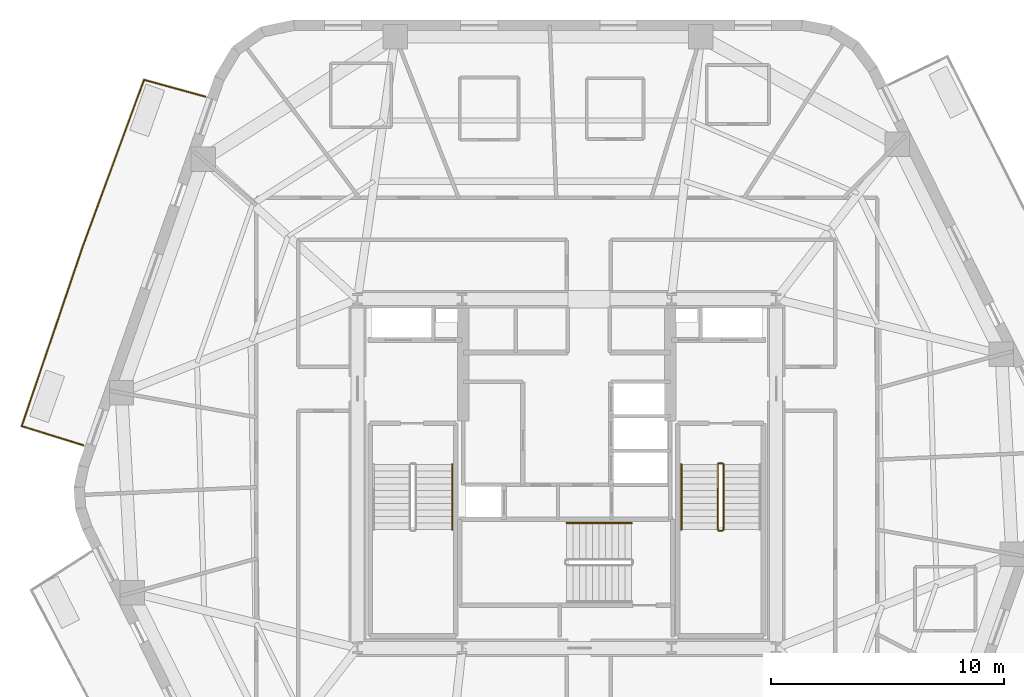
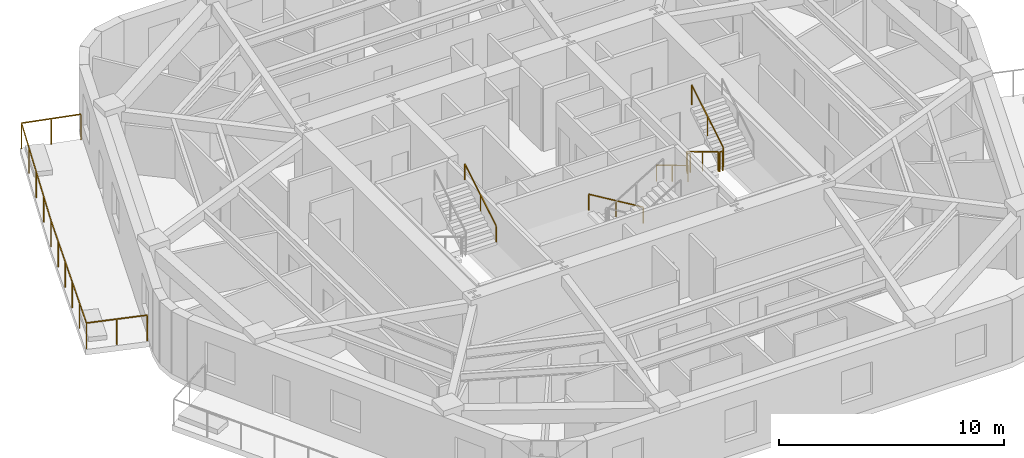
# One storey, part 9 of 10: 8 railings.
"""IFC4 building model written with IfcOpenShell, lengths in metres."""

from ifc_helpers import new_model, si_unit, direction, frame, origin, origin_2d, place, context, subcontext, project, spatial, rectangle, extrude, material, layer, layer_set, type_object, element, save


model = new_model("IFC4")

# Units and contexts
model_context = context("Model", 3, precision=1e-05, world=origin(), true_north=direction((0.0, 1.0)))
body_context = subcontext(model_context, "Body", "Model", "MODEL_VIEW")
ifc_project = project(units=[si_unit("LENGTHUNIT", "METRE"), si_unit("AREAUNIT", "SQUARE_METRE"), si_unit("VOLUMEUNIT", "CUBIC_METRE"), si_unit("PLANEANGLEUNIT", "RADIAN"), si_unit("MASSUNIT", "GRAM", prefix="KILO")], contexts=[model_context])

# Site, building, storey
site_placement = place(None, origin())
site = spatial("IfcSite", under=ifc_project, at=site_placement, CompositionType="ELEMENT")
building_placement = place(site_placement, origin())
building = spatial("IfcBuilding", under=site, at=building_placement, Name="Kilnhurst Terrace Hotel", CompositionType="ELEMENT")
storey_placement = place(building_placement, frame((0.0, 0.0, 183.0)))
storey = spatial("IfcBuildingStorey", under=building, at=storey_placement, Name="L45", CompositionType="ELEMENT", Elevation=183.0)

# Railings
ifc_material_1 = material(Name="Laminated SentryGlas and Stainless Steel AISI 316L Balustrade", Category="steel")
ifc_layer_1 = layer(ifc_material_1, 0.070068359375, Name="Laminated SentryGlas and Stainless Steel AISI 316L Balustrade")
ifc_layer_set_1 = layer_set([ifc_layer_1], Name="Laminated SentryGlas and Stainless Steel AISI 316L Balustrade")
railing_type_1 = type_object("IfcRailingType", Name="RLG-BAL-1420", PredefinedType="BALUSTRADE", material=ifc_layer_set_1)
railing_1_placement = place(storey_placement, frame((-20.783935546875, 1.215087890625, 0.0)))
element("IfcRailing", 1, at=railing_1_placement, inside=storey, type_object=railing_type_1, Name="L45 Exterior Terrace Guardrail BAL-L2A.1", PredefinedType="BALUSTRADE", context=body_context, shape_type="SweptSolid", body=[
    extrude(rectangle(XDim=0.048095703125, YDim=0.048095703125, at=origin_2d()), frame((0.0, 0.0, 1.39599609375), z_axis=(-0.954948187333, 0.29677257203, 0.0), x_axis=(-0.29677257203, -0.954948187333, 0.0)), (0.0, 0.0, 1.0), 2.7763671875),
    extrude(rectangle(XDim=0.048095703125, YDim=0.048095703125, at=origin_2d()), frame((-2.6513671875, 0.823974609375, 1.39599609375), z_axis=(0.321641701575, 0.946861455445, 0.0), x_axis=(-0.946861455445, 0.321641701575, 0.0)), (0.0, 0.0, 1.0), 8.082275390625),
    extrude(rectangle(XDim=0.048095703125, YDim=0.048095703125, at=origin_2d()), frame((-0.0517578125, 8.476806640625, 1.39599609375), z_axis=(0.344704120874, 0.938711387516, 0.0), x_axis=(-0.938711387516, 0.344704120874, 0.0)), (0.0, 0.0, 1.0), 7.7080078125),
    extrude(rectangle(XDim=0.048095703125, YDim=0.048095703125, at=origin_2d()), frame((2.605224609375, 15.71240234375, 1.39599609375), z_axis=(0.964239560757, -0.265032204593, 0.0), x_axis=(0.265032204593, 0.964239560757, 0.0)), (0.0, 0.0, 1.0), 2.739501953125),
    extrude(rectangle(XDim=0.0419921875, YDim=0.0419921875, at=origin_2d()), origin(), (0.0, 0.0, 1.0), 1.371826171875),
    extrude(rectangle(XDim=0.0419921875, YDim=0.0419921875, at=origin_2d()), frame((-1.32568359375, 0.412109375, 0.0)), (0.0, 0.0, 1.0), 1.371826171875),
    extrude(rectangle(XDim=0.0419921875, YDim=0.0419921875, at=origin_2d()), frame((-2.6513671875, 0.823974609375, 0.0)), (0.0, 0.0, 1.0), 1.371826171875),
    extrude(rectangle(XDim=0.0419921875, YDim=0.0419921875, at=origin_2d()), frame((-2.13134765625, 2.3544921875, 0.0)), (0.0, 0.0, 1.0), 1.371826171875),
    extrude(rectangle(XDim=0.0419921875, YDim=0.0419921875, at=origin_2d()), frame((-1.611572265625, 3.885009765625, 0.0)), (0.0, 0.0, 1.0), 1.371826171875),
    extrude(rectangle(XDim=0.0419921875, YDim=0.0419921875, at=origin_2d()), frame((-1.091552734375, 5.415771484375, 0.0)), (0.0, 0.0, 1.0), 1.371826171875),
    extrude(rectangle(XDim=0.0419921875, YDim=0.0419921875, at=origin_2d()), frame((-0.57177734375, 6.9462890625, 0.0)), (0.0, 0.0, 1.0), 1.371826171875),
    extrude(rectangle(XDim=0.0419921875, YDim=0.0419921875, at=origin_2d()), frame((-0.0517578125, 8.476806640625, 0.0)), (0.0, 0.0, 1.0), 1.371826171875),
    extrude(rectangle(XDim=0.0419921875, YDim=0.0419921875, at=origin_2d()), frame((0.612548828125, 10.28564453125, 0.0)), (0.0, 0.0, 1.0), 1.371826171875),
    extrude(rectangle(XDim=0.0419921875, YDim=0.0419921875, at=origin_2d()), frame((1.27685546875, 12.0947265625, 0.0)), (0.0, 0.0, 1.0), 1.371826171875),
    extrude(rectangle(XDim=0.0419921875, YDim=0.0419921875, at=origin_2d()), frame((1.94091796875, 13.903564453125, 0.0)), (0.0, 0.0, 1.0), 1.371826171875),
    extrude(rectangle(XDim=0.0419921875, YDim=0.0419921875, at=origin_2d()), frame((2.605224609375, 15.71240234375, 0.0)), (0.0, 0.0, 1.0), 1.371826171875),
    extrude(rectangle(XDim=0.0419921875, YDim=0.0419921875, at=origin_2d()), frame((3.926025390625, 15.349365234375, 0.0)), (0.0, 0.0, 1.0), 1.371826171875),
    extrude(rectangle(XDim=0.0419921875, YDim=0.0419921875, at=origin_2d()), frame((5.246826171875, 14.986328125, 0.0)), (0.0, 0.0, 1.0), 1.371826171875),
])
ifc_material_2 = material(Name="Powder-Coated Steel ASTM A500 Grade B", Category="steel")
ifc_layer_2 = layer(ifc_material_2, 0.050048828125, Name="Powder-Coated Steel ASTM A500 Grade B")
ifc_layer_set_2 = layer_set([ifc_layer_2], Name="Powder-Coated Steel ASTM A500 Grade B")
railing_type_2 = type_object("IfcRailingType", Name="RLG-ST-GRD-1100", PredefinedType="GUARDRAIL", material=ifc_layer_set_2)
railing_2_placement = place(storey_placement, frame((6.489990234375, 0.389892578125, 0.168212890625)))
element("IfcRailing", 2, at=railing_2_placement, inside=storey, type_object=railing_type_2, Name="L45 ST-2 stair guard 1", PredefinedType="GUARDRAIL", context=body_context, shape_type="SweptSolid", body=[
    extrude(rectangle(XDim=0.048095703125, YDim=0.048095703125, at=origin_2d()), frame((0.0, 0.0, 1.076171875), z_axis=(0.0, -0.857222391501, 0.514946377315), x_axis=(1.0, 0.0, 0.0)), (0.0, 0.0, 1.0), 3.26611328125),
    extrude(rectangle(XDim=0.0419921875, YDim=0.0419921875, at=origin_2d()), origin(), (0.0, 0.0, 1.0), 1.052001953125),
    extrude(rectangle(XDim=0.0419921875, YDim=0.0419921875, at=origin_2d()), frame((0.0, -1.39990234375, 0.8408203125)), (0.0, 0.0, 1.0), 1.052001953125),
    extrude(rectangle(XDim=0.0419921875, YDim=0.0419921875, at=origin_2d()), frame((0.0, -2.7998046875, 1.681884765625)), (0.0, 0.0, 1.0), 1.052001953125),
])
railing_3_placement = place(storey_placement, frame((6.5400390625, -2.4599609375, 1.85009765625)))
element("IfcRailing", 3, at=railing_3_placement, inside=storey, type_object=railing_type_2, Name="L45 ST-2 stair guard 2", PredefinedType="GUARDRAIL", context=body_context, shape_type="SweptSolid", body=[
    extrude(rectangle(XDim=0.048095703125, YDim=0.048095703125, at=origin_2d()), frame((0.0, 0.0, 1.076171875), z_axis=(1.0, 0.0, 0.0), x_axis=(0.0, 1.0, 0.0)), (0.0, 0.0, 1.0), 0.14990234375),
    extrude(rectangle(XDim=0.0419921875, YDim=0.0419921875, at=origin_2d()), origin(), (0.0, 0.0, 1.0), 1.052001953125),
    extrude(rectangle(XDim=0.0419921875, YDim=0.0419921875, at=origin_2d()), frame((0.14990234375, 0.0, 0.0)), (0.0, 0.0, 1.0), 1.052001953125),
])
railing_4_placement = place(storey_placement, frame((6.739990234375, -2.409912109375, 2.01806640625)))
element("IfcRailing", 4, at=railing_4_placement, inside=storey, type_object=railing_type_2, Name="L45 ST-2 stair guard 3", PredefinedType="GUARDRAIL", context=body_context, shape_type="SweptSolid", body=[
    extrude(rectangle(XDim=0.048095703125, YDim=0.048095703125, at=origin_2d()), frame((0.0, 0.0, 1.076171875), z_axis=(0.0, 0.857222391501, 0.514946377315), x_axis=(-1.0, 0.0, 0.0)), (0.0, 0.0, 1.0), 3.26611328125),
    extrude(rectangle(XDim=0.0419921875, YDim=0.0419921875, at=origin_2d()), origin(), (0.0, 0.0, 1.0), 1.052001953125),
    extrude(rectangle(XDim=0.0419921875, YDim=0.0419921875, at=origin_2d()), frame((0.0, 1.39990234375, 0.8408203125)), (0.0, 0.0, 1.0), 1.052001953125),
    extrude(rectangle(XDim=0.0419921875, YDim=0.0419921875, at=origin_2d()), frame((0.0, 2.7998046875, 1.681884765625)), (0.0, 0.0, 1.0), 1.052001953125),
])
railing_5_placement = place(storey_placement, frame((6.5400390625, 0.43994140625, 0.0)))
element("IfcRailing", 5, at=railing_5_placement, inside=storey, type_object=railing_type_2, Name="L45 ST-2 stair guard 4", PredefinedType="GUARDRAIL", context=body_context, shape_type="SweptSolid", body=[
    extrude(rectangle(XDim=0.048095703125, YDim=0.048095703125, at=origin_2d()), frame((0.0, 0.0, 1.076171875), z_axis=(1.0, 0.0, 0.0), x_axis=(0.0, 1.0, 0.0)), (0.0, 0.0, 1.0), 0.14990234375),
    extrude(rectangle(XDim=0.0419921875, YDim=0.0419921875, at=origin_2d()), origin(), (0.0, 0.0, 1.0), 1.052001953125),
    extrude(rectangle(XDim=0.0419921875, YDim=0.0419921875, at=origin_2d()), frame((0.14990234375, 0.0, 0.0)), (0.0, 0.0, 1.0), 1.052001953125),
])
ifc_material_3 = material(Name="Brushed Stainless Steel AISI 304", Category="steel")
ifc_layer_3 = layer(ifc_material_3, 0.048095703125, Name="Brushed Stainless Steel AISI 304")
ifc_layer_set_3 = layer_set([ifc_layer_3], Name="Brushed Stainless Steel AISI 304")
railing_type_3 = type_object("IfcRailingType", Name="RLG-ST-HRL-900", PredefinedType="HANDRAIL", material=ifc_layer_set_3)
railing_6_placement = place(storey_placement, frame((-4.929931640625, -2.409912109375, 2.01806640625)))
element("IfcRailing", 6, at=railing_6_placement, inside=storey, type_object=railing_type_3, Name="L45 ST-1 stair handrail 2", PredefinedType="HANDRAIL", context=body_context, shape_type="SweptSolid", body=[
    extrude(rectangle(XDim=0.048095703125, YDim=0.048095703125, at=origin_2d()), frame((0.0, 0.0, 0.8759765625), z_axis=(0.0, 0.857222391501, 0.514946377315), x_axis=(-1.0, 0.0, 0.0)), (0.0, 0.0, 1.0), 3.26611328125),
    extrude(rectangle(XDim=0.0419921875, YDim=0.0419921875, at=origin_2d()), origin(), (0.0, 0.0, 1.0), 0.851806640625),
    extrude(rectangle(XDim=0.0419921875, YDim=0.0419921875, at=origin_2d()), frame((0.0, 1.39990234375, 0.8408203125)), (0.0, 0.0, 1.0), 0.851806640625),
    extrude(rectangle(XDim=0.0419921875, YDim=0.0419921875, at=origin_2d()), frame((0.0, 2.7998046875, 1.681884765625)), (0.0, 0.0, 1.0), 0.851806640625),
])
railing_7_placement = place(storey_placement, frame((4.929931640625, 0.389892578125, 0.168212890625)))
element("IfcRailing", 7, at=railing_7_placement, inside=storey, type_object=railing_type_3, Name="L45 ST-2 stair handrail 1", PredefinedType="HANDRAIL", context=body_context, shape_type="SweptSolid", body=[
    extrude(rectangle(XDim=0.048095703125, YDim=0.048095703125, at=origin_2d()), frame((0.0, 0.0, 0.8759765625), z_axis=(0.0, -0.857222391501, 0.514946377315), x_axis=(1.0, 0.0, 0.0)), (0.0, 0.0, 1.0), 3.26611328125),
    extrude(rectangle(XDim=0.0419921875, YDim=0.0419921875, at=origin_2d()), origin(), (0.0, 0.0, 1.0), 0.851806640625),
    extrude(rectangle(XDim=0.0419921875, YDim=0.0419921875, at=origin_2d()), frame((0.0, -1.39990234375, 0.8408203125)), (0.0, 0.0, 1.0), 0.851806640625),
    extrude(rectangle(XDim=0.0419921875, YDim=0.0419921875, at=origin_2d()), frame((0.0, -2.7998046875, 1.681884765625)), (0.0, 0.0, 1.0), 0.851806640625),
])
railing_8_placement = place(storey_placement, frame((2.7900390625, -2.1298828125, 0.168212890625)))
element("IfcRailing", 8, at=railing_8_placement, inside=storey, type_object=railing_type_3, Name="L45 ST-3 stair handrail 1", PredefinedType="HANDRAIL", context=body_context, shape_type="SweptSolid", body=[
    extrude(rectangle(XDim=0.048095703125, YDim=0.048095703125, at=origin_2d()), frame((0.0, 0.0, 0.8759765625), z_axis=(-0.857242210791, 0.0, 0.514913383045), x_axis=(0.0, -1.0, 0.0)), (0.0, 0.0, 1.0), 3.266357421875),
    extrude(rectangle(XDim=0.0419921875, YDim=0.0419921875, at=origin_2d()), origin(), (0.0, 0.0, 1.0), 0.851806640625),
    extrude(rectangle(XDim=0.0419921875, YDim=0.0419921875, at=origin_2d()), frame((-1.39990234375, 0.0, 0.8408203125)), (0.0, 0.0, 1.0), 0.851806640625),
    extrude(rectangle(XDim=0.0419921875, YDim=0.0419921875, at=origin_2d()), frame((-2.800048828125, 0.0, 1.681884765625)), (0.0, 0.0, 1.0), 0.851806640625),
])

save(model, "model.ifc")
